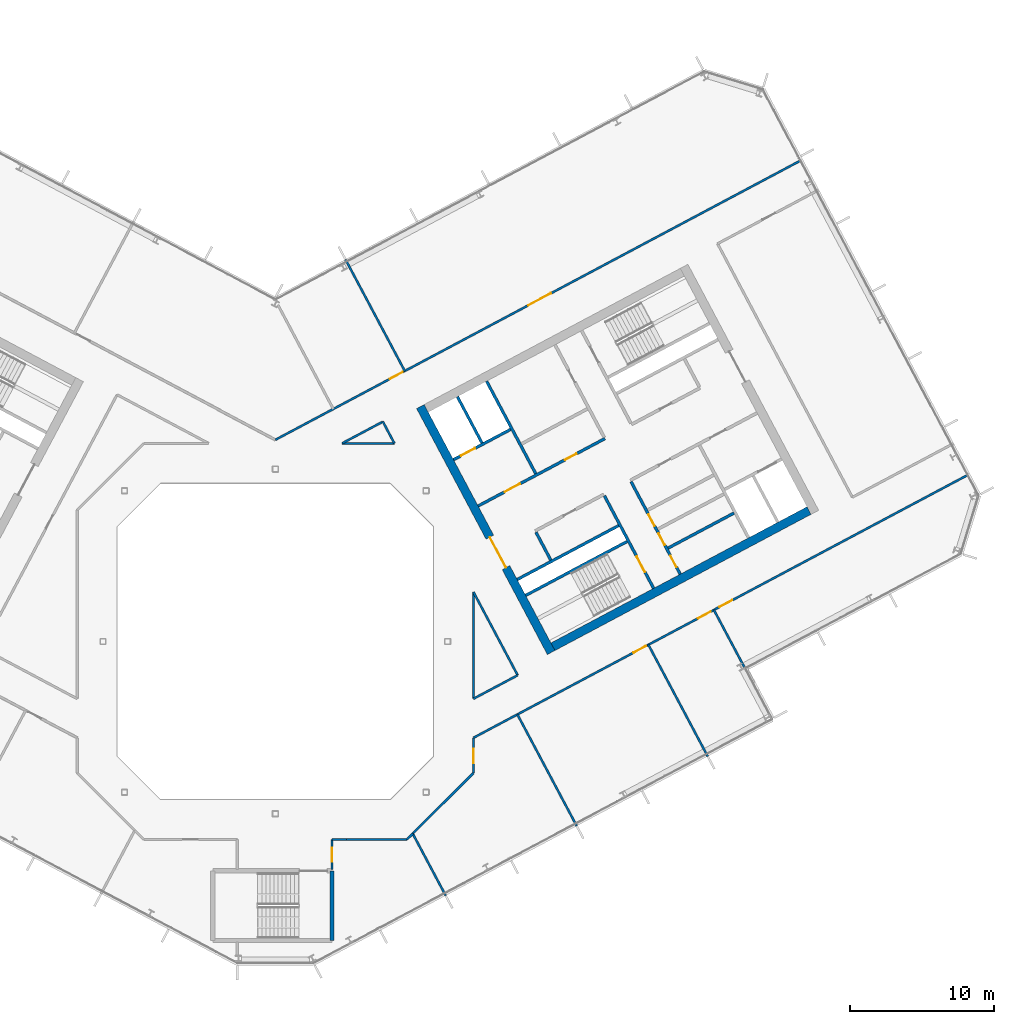
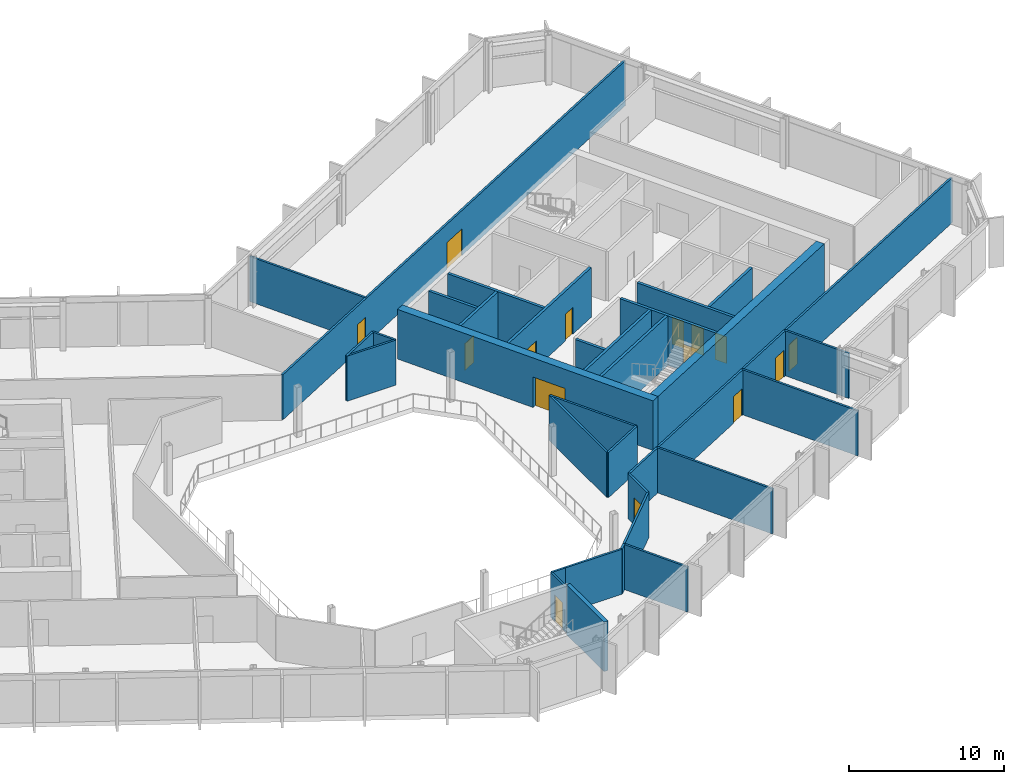
# One storey, part 16 of 27: 32 walls, 15 doors, 15 openings.
"""IFC4 building model written with IfcOpenShell, lengths in metres."""

from ifc_helpers import new_model, si_unit, direction, frame, frame_2d, origin, place, context, subcontext, project, spatial, rectangle, extrude, material, layer, layer_set, type_object, element, fill, save


model = new_model("IFC4")

# Units and contexts
model_context = context("Model", 3, precision=1e-05, world=origin(), true_north=direction((0.0, 1.0)))
body_context = subcontext(model_context, "Body", "Model", "MODEL_VIEW")
ifc_project = project(units=[si_unit("LENGTHUNIT", "METRE"), si_unit("AREAUNIT", "SQUARE_METRE"), si_unit("VOLUMEUNIT", "CUBIC_METRE"), si_unit("PLANEANGLEUNIT", "RADIAN"), si_unit("MASSUNIT", "GRAM", prefix="KILO")], contexts=[model_context])

# Site, building, storey
site_placement = place(None, origin())
site = spatial("IfcSite", under=ifc_project, at=site_placement, CompositionType="ELEMENT")
building_placement = place(site_placement, origin())
building = spatial("IfcBuilding", under=site, at=building_placement, Name="Cormorant Relay Tower", CompositionType="ELEMENT")
storey_placement = place(building_placement, frame((0.0, 0.0, 209.10009765625)))
storey = spatial("IfcBuildingStorey", under=building, at=storey_placement, Name="L45", CompositionType="ELEMENT", Elevation=209.10009765625)

# Walls
ifc_material_1 = material(Name="Concrete 40 MPa", Category="concrete")
ifc_layer_1 = layer(ifc_material_1, 0.199951171875)
ifc_layer_set_1 = layer_set([ifc_layer_1], Name="Core internal wall 200")
wall_type_1 = type_object("IfcWallType", Name="Core internal wall 200", PredefinedType="SOLIDWALL", material=ifc_layer_set_1)
wall_1_placement = place(storey_placement, frame((27.349365234375, 6.500732421875, 0.0), z_axis=(0.0, 0.0, 1.0), x_axis=(0.882953967957, 0.469459572775, 0.0)))
element("IfcWall", 1, at=wall_1_placement, inside=storey, type_object=wall_type_1, Name="L45 core B shaft and room wall", PredefinedType="SOLIDWALL", context=body_context, shape_type="SweptSolid", body=[
    extrude(rectangle(XDim=5.199951171875, YDim=0.199951171875, at=frame_2d((2.60009765625, 0.0))), origin(), (0.0, 0.0, 1.0), 3.89990234375),
])
ifc_material_2 = material(Name="Concrete 50 MPa", Category="concrete")
ifc_layer_2 = layer(ifc_material_2, 0.199951171875)
ifc_layer_set_2 = layer_set([ifc_layer_2], Name="Core shaft wall 200")
wall_type_2 = type_object("IfcWallType", Name="Core shaft wall 200", PredefinedType="SHEAR", material=ifc_layer_set_2)
wall_2_placement = place(storey_placement, frame((14.39404296875, 13.825927734375, 0.0), z_axis=(0.0, 0.0, 1.0), x_axis=(-0.469494272526, 0.882935517501, 0.0)))
element("IfcWall", 2, at=wall_2_placement, inside=storey, type_object=wall_type_2, Name="L45 core B shaft wall", PredefinedType="SHEAR", context=body_context, shape_type="SweptSolid", body=[
    extrude(rectangle(XDim=3.64990234375, YDim=0.199951171875, at=frame_2d((1.824951171875, 0.0))), origin(), (0.0, 0.0, 1.0), 3.89990234375),
])
wall_3_placement = place(storey_placement, frame((19.18359375, 5.669921875, 0.0), z_axis=(0.0, 0.0, 1.0), x_axis=(-0.4694473164, 0.882960484464, 0.0)))
element("IfcWall", 3, at=wall_3_placement, inside=storey, type_object=wall_type_2, Name="L45 core B shaft wall", PredefinedType="SHEAR", context=body_context, shape_type="SweptSolid", body=[
    extrude(rectangle(XDim=2.199951171875, YDim=0.199951171875, at=frame_2d((1.10009765625, 0.0))), origin(), (0.0, 0.0, 1.0), 3.89990234375),
])
wall_4_placement = place(storey_placement, frame((18.138427734375, 11.682861328125, 0.0), z_axis=(0.0, 0.0, 1.0), x_axis=(-0.469480409012, 0.88294288918, 0.0)))
element("IfcWall", 4, at=wall_4_placement, inside=storey, type_object=wall_type_2, Name="L45 core B shaft wall", PredefinedType="SHEAR", context=body_context, shape_type="SweptSolid", body=[
    extrude(rectangle(XDim=7.300048828125, YDim=0.199951171875, at=frame_2d((3.64990234375, 0.0))), origin(), (0.0, 0.0, 1.0), 3.89990234375),
])

# Wall, opening, door
wall_5_placement = place(storey_placement, frame((26.345947265625, 3.701904296875, 0.0), z_axis=(0.0, 0.0, 1.0), x_axis=(-0.469480409012, 0.88294288918, 0.0)))
wall_5 = element("IfcWall", 5, at=wall_5_placement, inside=storey, type_object=wall_type_2, Name="L45 core B shaft wall", PredefinedType="SHEAR", context=body_context, shape_type="SweptSolid", body=[
    extrude(rectangle(XDim=7.300048828125, YDim=0.199951171875, at=frame_2d((3.64990234375, 0.0))), origin(), (0.0, 0.0, 1.0), 3.89990234375),
])
opening_1_placement = place(wall_5_placement, frame((1.300048828125, 0.0, 0.0)))
opening_1 = element("IfcOpeningElement", 6, at=opening_1_placement, cuts=wall_5, Name="Opening CDB-040", PredefinedType="OPENING", context=body_context, shape_type="SweptSolid", body=[
    extrude(rectangle(XDim=1.199951171875, YDim=2.10009765625, at=frame_2d((0.60009765625, 1.050048828125))), frame((0.0, 0.10986328125, 0.0), z_axis=(0.0, -1.0, 0.0), x_axis=(1.0, 0.0, 0.0)), (0.0, 0.0, 1.0), 0.219970703125),
])
ifc_material_3 = material(Name="Steel fire door", Category="steel")
door_type_1 = type_object("IfcDoorType", Name="Core stair door 1200x2100", OperationType="SINGLE_SWING_LEFT", PredefinedType="DOOR", material=ifc_material_3)
door_1_placement = place(opening_1_placement, origin())
door_1 = element("IfcDoor", 7, at=door_1_placement, inside=storey, type_object=door_type_1, Name="Core stair door 1200x2100", OperationType="SINGLE_SWING_RIGHT", OverallHeight=2.10009765625, OverallWidth=1.199951171875, PredefinedType="DOOR", context=body_context, shape_type="SweptSolid", body=[
    extrude(rectangle(XDim=1.199951171875, YDim=2.10009765625, at=frame_2d((0.60009765625, 1.050048828125))), frame((0.0, 0.02490234375, 0.0), z_axis=(0.0, -1.0, 0.0), x_axis=(1.0, 0.0, 0.0)), (0.0, 0.0, 1.0), 0.050048828125),
])
fill(opening_1, door_1)

# Wall, openings, doors
wall_6_placement = place(storey_placement, frame((28.199951171875, 4.687744140625, 0.0), z_axis=(0.0, 0.0, 1.0), x_axis=(-0.469454336211, 0.882956752176, 0.0)))
wall_6 = element("IfcWall", 8, at=wall_6_placement, inside=storey, type_object=wall_type_2, Name="L45 core B shaft wall", PredefinedType="SHEAR", context=body_context, shape_type="SweptSolid", body=[
    extrude(rectangle(XDim=7.300048828125, YDim=0.199951171875, at=frame_2d((3.64990234375, 0.0))), origin(), (0.0, 0.0, 1.0), 3.89990234375),
])
opening_2_placement = place(wall_6_placement, frame((0.550048828125, 0.0, 0.0)))
opening_2 = element("IfcOpeningElement", 9, at=opening_2_placement, cuts=wall_6, Name="Opening CDD-265", PredefinedType="OPENING", context=body_context, shape_type="SweptSolid", body=[
    extrude(rectangle(XDim=0.89990234375, YDim=2.10009765625, at=frame_2d((0.449951171875, 1.050048828125))), frame((0.0, 0.10986328125, 0.0), z_axis=(0.0, -1.0, 0.0), x_axis=(1.0, 0.0, 0.0)), (0.0, 0.0, 1.0), 0.219970703125),
])
opening_3_placement = place(wall_6_placement, frame((2.300048828125, 0.0, 0.0)))
opening_3 = element("IfcOpeningElement", 10, at=opening_3_placement, cuts=wall_6, Name="Opening CDD-266", PredefinedType="OPENING", context=body_context, shape_type="SweptSolid", body=[
    extrude(rectangle(XDim=0.89990234375, YDim=2.10009765625, at=frame_2d((0.449951171875, 1.050048828125))), frame((0.0, 0.10986328125, 0.0), z_axis=(0.0, -1.0, 0.0), x_axis=(1.0, 0.0, 0.0)), (0.0, 0.0, 1.0), 0.219970703125),
])
opening_4_placement = place(wall_6_placement, frame((3.800048828125, 0.0, 0.0)))
opening_4 = element("IfcOpeningElement", 11, at=opening_4_placement, cuts=wall_6, Name="Opening CDD-267", PredefinedType="OPENING", context=body_context, shape_type="SweptSolid", body=[
    extrude(rectangle(XDim=0.89990234375, YDim=2.10009765625, at=frame_2d((0.449951171875, 1.050048828125))), frame((0.0, 0.10986328125, 0.0), z_axis=(0.0, -1.0, 0.0), x_axis=(1.0, 0.0, 0.0)), (0.0, 0.0, 1.0), 0.219970703125),
])
ifc_material_4 = material(Name="Steel fire door", Category="steel")
door_type_2 = type_object("IfcDoorType", Name="Core room door 900x2100", OperationType="SINGLE_SWING_LEFT", PredefinedType="DOOR", material=ifc_material_4)
door_2_placement = place(opening_2_placement, frame((0.89990234375, 0.0, 0.0), z_axis=(0.0, 0.0, 1.0), x_axis=(-1.0, 0.0, 0.0)))
door_2 = element("IfcDoor", 12, at=door_2_placement, inside=storey, type_object=door_type_2, Name="Core room door 900x2100", OperationType="SINGLE_SWING_LEFT", OverallHeight=2.10009765625, OverallWidth=0.89990234375, PredefinedType="DOOR", context=body_context, shape_type="SweptSolid", body=[
    extrude(rectangle(XDim=0.89990234375, YDim=2.10009765625, at=frame_2d((0.449951171875, 1.050048828125))), frame((0.0, 0.02490234375, 0.0), z_axis=(0.0, -1.0, 0.0), x_axis=(1.0, 0.0, 0.0)), (0.0, 0.0, 1.0), 0.050048828125),
])
fill(opening_2, door_2)
door_3_placement = place(opening_3_placement, frame((0.89990234375, 0.0, 0.0), z_axis=(0.0, 0.0, 1.0), x_axis=(-1.0, 0.0, 0.0)))
door_3 = element("IfcDoor", 13, at=door_3_placement, inside=storey, type_object=door_type_2, Name="Core room door 900x2100", OperationType="SINGLE_SWING_LEFT", OverallHeight=2.10009765625, OverallWidth=0.89990234375, PredefinedType="DOOR", context=body_context, shape_type="SweptSolid", body=[
    extrude(rectangle(XDim=0.89990234375, YDim=2.10009765625, at=frame_2d((0.449951171875, 1.050048828125))), frame((0.0, 0.02490234375, 0.0), z_axis=(0.0, -1.0, 0.0), x_axis=(1.0, 0.0, 0.0)), (0.0, 0.0, 1.0), 0.050048828125),
])
fill(opening_3, door_3)
door_4_placement = place(opening_4_placement, frame((0.89990234375, 0.0, 0.0), z_axis=(0.0, 0.0, 1.0), x_axis=(-1.0, 0.0, 0.0)))
door_4 = element("IfcDoor", 14, at=door_4_placement, inside=storey, type_object=door_type_2, Name="Core room door 900x2100", OperationType="SINGLE_SWING_LEFT", OverallHeight=2.10009765625, OverallWidth=0.89990234375, PredefinedType="DOOR", context=body_context, shape_type="SweptSolid", body=[
    extrude(rectangle(XDim=0.89990234375, YDim=2.10009765625, at=frame_2d((0.449951171875, 1.050048828125))), frame((0.0, 0.02490234375, 0.0), z_axis=(0.0, -1.0, 0.0), x_axis=(1.0, 0.0, 0.0)), (0.0, 0.0, 1.0), 0.050048828125),
])
fill(opening_4, door_4)

# Walls
for number, where, z_axis, x_axis, name in (
    (15, (17.43359375, 3.210205078125, 0.0), (0.0, 0.0, 1.0), (0.882940221191, 0.469485426614, 0.0), "L45 core B shaft wall"),
    (16, (16.8466796875, 4.31396484375, 0.0), (0.0, 0.0, 1.0), (0.882940221191, 0.469485426614, 0.0), "L45 core B shaft wall"),
):
    element("IfcWall", number, at=place(storey_placement, frame(where, z_axis=z_axis, x_axis=x_axis)), inside=storey, type_object=wall_type_2, Name=name, PredefinedType="SHEAR", context=body_context, shape_type="SweptSolid", body=[
        extrude(rectangle(XDim=8.0, YDim=0.199951171875, at=frame_2d((4.0, 0.0))), origin(), (0.0, 0.0, 1.0), 3.89990234375),
    ])

# Wall, openings, doors
wall_7_placement = place(storey_placement, frame((14.123779296875, 9.43505859375, 0.0), z_axis=(0.0, 0.0, 1.0), x_axis=(0.882940221191, 0.469485426614, 0.0)))
wall_7 = element("IfcWall", 17, at=wall_7_placement, inside=storey, type_object=wall_type_2, Name="L45 core B shaft wall", PredefinedType="SHEAR", context=body_context, shape_type="SweptSolid", body=[
    extrude(rectangle(XDim=10.0, YDim=0.199951171875, at=frame_2d((5.0, 0.0))), origin(), (0.0, 0.0, 1.0), 3.89990234375),
])
opening_5_placement = place(wall_7_placement, frame((2.10009765625, 0.0, 0.0)))
opening_5 = element("IfcOpeningElement", 18, at=opening_5_placement, cuts=wall_7, Name="Opening CDC-037", PredefinedType="OPENING", context=body_context, shape_type="SweptSolid", body=[
    extrude(rectangle(XDim=1.199951171875, YDim=2.10009765625, at=frame_2d((0.60009765625, 1.050048828125))), frame((0.0, 0.10986328125, 0.0), z_axis=(0.0, -1.0, 0.0), x_axis=(1.0, 0.0, 0.0)), (0.0, 0.0, 1.0), 0.219970703125),
])
opening_6_placement = place(wall_7_placement, frame((6.85009765625, 0.0, 0.0)))
opening_6 = element("IfcOpeningElement", 19, at=opening_6_placement, cuts=wall_7, Name="Opening CDD-260", PredefinedType="OPENING", context=body_context, shape_type="SweptSolid", body=[
    extrude(rectangle(XDim=0.89990234375, YDim=2.10009765625, at=frame_2d((0.449951171875, 1.050048828125))), frame((0.0, 0.10986328125, 0.0), z_axis=(0.0, -1.0, 0.0), x_axis=(1.0, 0.0, 0.0)), (0.0, 0.0, 1.0), 0.219970703125),
])
ifc_material_5 = material(Name="Steel fire door", Category="steel")
door_type_3 = type_object("IfcDoorType", Name="Core lobby door 1200x2100", OperationType="SINGLE_SWING_LEFT", PredefinedType="DOOR", material=ifc_material_5)
door_5_placement = place(opening_5_placement, origin())
door_5 = element("IfcDoor", 20, at=door_5_placement, inside=storey, type_object=door_type_3, Name="Core lobby door 1200x2100", OperationType="SINGLE_SWING_RIGHT", OverallHeight=2.10009765625, OverallWidth=1.199951171875, PredefinedType="DOOR", context=body_context, shape_type="SweptSolid", body=[
    extrude(rectangle(XDim=1.199951171875, YDim=2.10009765625, at=frame_2d((0.60009765625, 1.050048828125))), frame((0.0, 0.02490234375, 0.0), z_axis=(0.0, -1.0, 0.0), x_axis=(1.0, 0.0, 0.0)), (0.0, 0.0, 1.0), 0.050048828125),
])
fill(opening_5, door_5)
door_6_placement = place(opening_6_placement, origin())
door_6 = element("IfcDoor", 21, at=door_6_placement, inside=storey, type_object=door_type_2, Name="Core room door 900x2100", OperationType="SINGLE_SWING_LEFT", OverallHeight=2.10009765625, OverallWidth=0.89990234375, PredefinedType="DOOR", context=body_context, shape_type="SweptSolid", body=[
    extrude(rectangle(XDim=0.89990234375, YDim=2.10009765625, at=frame_2d((0.449951171875, 1.050048828125))), frame((0.0, 0.02490234375, 0.0), z_axis=(0.0, -1.0, 0.0), x_axis=(1.0, 0.0, 0.0)), (0.0, 0.0, 1.0), 0.050048828125),
])
fill(opening_6, door_6)

# Wall, opening, door
wall_8_placement = place(storey_placement, frame((12.41015625, 12.657958984375, 0.0), z_axis=(0.0, 0.0, 1.0), x_axis=(0.8829484765, 0.469469900894, 0.0)))
wall_8 = element("IfcWall", 22, at=wall_8_placement, inside=storey, type_object=wall_type_2, Name="L45 core B shaft wall", PredefinedType="SHEAR", context=body_context, shape_type="SweptSolid", body=[
    extrude(rectangle(XDim=4.499755859375, YDim=0.199951171875, at=frame_2d((2.25, 0.0))), origin(), (0.0, 0.0, 1.0), 3.89990234375),
])
opening_7_placement = place(wall_8_placement, frame((0.60009765625, 0.0, 0.0)))
opening_7 = element("IfcOpeningElement", 23, at=opening_7_placement, cuts=wall_8, Name="Opening LD1-064", PredefinedType="OPENING", context=body_context, shape_type="SweptSolid", body=[
    extrude(rectangle(XDim=1.10009765625, YDim=2.10009765625, at=frame_2d((0.550048828125, 1.050048828125))), frame((0.0, 0.10986328125, 0.0), z_axis=(0.0, -1.0, 0.0), x_axis=(1.0, 0.0, 0.0)), (0.0, 0.0, 1.0), 0.219970703125),
])
ifc_material_6 = material(Name="Stainless steel 316", Category="steel")
door_type_4 = type_object("IfcDoorType", Name="Lift landing door 1100x2100", OperationType="DOUBLE_DOOR_SLIDING", PredefinedType="DOOR", material=ifc_material_6)
door_7_placement = place(opening_7_placement, origin())
door_7 = element("IfcDoor", 24, at=door_7_placement, inside=storey, type_object=door_type_4, Name="FF2 landing door", OperationType="DOUBLE_DOOR_SLIDING", OverallHeight=2.10009765625, OverallWidth=1.10009765625, PredefinedType="DOOR", context=body_context, shape_type="SweptSolid", body=[
    extrude(rectangle(XDim=1.10009765625, YDim=2.10009765625, at=frame_2d((0.550048828125, 1.050048828125))), frame((0.0, 0.02490234375, 0.0), z_axis=(0.0, -1.0, 0.0), x_axis=(1.0, 0.0, 0.0)), (0.0, 0.0, 1.0), 0.050048828125),
])
fill(opening_7, door_7)

ifc_material_7 = material(Name="Concrete 50 MPa", Category="concrete")
ifc_layer_3 = layer(ifc_material_7, 0.60009765625)
ifc_layer_set_3 = layer_set([ifc_layer_3], Name="Core wall 600")
wall_type_3 = type_object("IfcWallType", Name="Core wall 600", PredefinedType="SHEAR", material=ifc_layer_set_3)
wall_9_placement = place(storey_placement, frame((19.210693359375, -0.771484375, 0.0), z_axis=(0.0, 0.0, 1.0), x_axis=(-0.469463742137, 0.882951751127, 0.0)))
wall_9 = element("IfcWall", 25, at=wall_9_placement, inside=storey, type_object=wall_type_3, Name="L45 core B wall", PredefinedType="SHEAR", context=body_context, shape_type="SweptSolid", body=[
    extrude(rectangle(XDim=19.400146484375, YDim=0.60009765625, at=frame_2d((9.7001953125, 0.0))), origin(), (0.0, 0.0, 1.0), 3.89990234375),
])
opening_8_placement = place(wall_9_placement, frame((6.699951171875, 0.0, 0.0)))
opening_8 = element("IfcOpeningElement", 26, at=opening_8_placement, cuts=wall_9, Name="Opening CDA-044", PredefinedType="OPENING", context=body_context, shape_type="SweptSolid", body=[
    extrude(rectangle(XDim=2.39990234375, YDim=2.39990234375, at=frame_2d((1.199951171875, 1.199951171875))), frame((0.0, 0.31005859375, 0.0), z_axis=(0.0, -1.0, 0.0), x_axis=(1.0, 0.0, 0.0)), (0.0, 0.0, 1.0), 0.6201171875),
])
ifc_material_8 = material(Name="Steel fire door", Category="steel")
door_type_5 = type_object("IfcDoorType", Name="Core lobby door 2400x2400", OperationType="DOUBLE_DOOR_SINGLE_SWING", PredefinedType="DOOR", material=ifc_material_8)
door_8_placement = place(opening_8_placement, origin())
door_8 = element("IfcDoor", 27, at=door_8_placement, inside=storey, type_object=door_type_5, Name="Core lobby door 2400x2400", OperationType="DOUBLE_DOOR_SINGLE_SWING", OverallHeight=2.39990234375, OverallWidth=2.39990234375, PredefinedType="DOOR", context=body_context, shape_type="SweptSolid", body=[
    extrude(rectangle(XDim=2.39990234375, YDim=2.39990234375, at=frame_2d((1.199951171875, 1.199951171875))), frame((0.0, 0.02490234375, 0.0), z_axis=(0.0, -1.0, 0.0), x_axis=(1.0, 0.0, 0.0)), (0.0, 0.0, 1.0), 0.050048828125),
])
fill(opening_8, door_8)

# Wall
wall_10_placement = place(storey_placement, frame((19.3349609375, -0.36572265625, 0.0), z_axis=(0.0, 0.0, 1.0), x_axis=(0.88294509198, 0.469476266226, 0.0)))
element("IfcWall", 28, at=wall_10_placement, inside=storey, type_object=wall_type_3, Name="L45 core B wall", PredefinedType="SHEAR", context=body_context, shape_type="SweptSolid", body=[
    extrude(rectangle(XDim=20.199951171875, YDim=0.60009765625, at=frame_2d((10.10009765625, 0.0))), origin(), (0.0, 0.0, 1.0), 3.89990234375),
])

# Wall, openings, doors
ifc_material_9 = material(Name="Gypsum board fire partition")
ifc_layer_4 = layer(ifc_material_9, 0.14990234375)
ifc_layer_set_4 = layer_set([ifc_layer_4], Name="Corridor partition 150 EI 60")
wall_type_4 = type_object("IfcWallType", Name="Corridor partition 150 EI 60", PredefinedType="PARTITIONING", material=ifc_layer_set_4)
wall_11_placement = place(storey_placement, frame((0.0, 14.0439453125, 0.0), z_axis=(0.0, 0.0, 1.0), x_axis=(0.882962129795, 0.469444221764, 0.0)))
wall_11 = element("IfcWall", 29, at=wall_11_placement, inside=storey, type_object=wall_type_4, Name="wall/L45/part/012", PredefinedType="PARTITIONING", context=body_context, shape_type="SweptSolid", body=[
    extrude(rectangle(XDim=41.606689453125, YDim=0.14990234375, at=frame_2d((20.80322265625, 0.0))), origin(), (0.0, 0.0, 1.0), 3.539794921875),
])
opening_9_placement = place(wall_11_placement, frame((19.949951171875, 0.0, 0.0)))
opening_9 = element("IfcOpeningElement", 30, at=opening_9_placement, cuts=wall_11, Name="Opening DD-023", PredefinedType="OPENING", context=body_context, shape_type="SweptSolid", body=[
    extrude(rectangle(XDim=1.800048828125, YDim=2.10009765625, at=frame_2d((0.89990234375, 1.050048828125))), frame((0.0, 0.0849609375, 0.0), z_axis=(0.0, -1.0, 0.0), x_axis=(1.0, 0.0, 0.0)), (0.0, 0.0, 1.0), 0.169921875),
])
opening_10_placement = place(wall_11_placement, frame((9.050048828125, 0.0, 0.0)))
opening_10 = element("IfcOpeningElement", 31, at=opening_10_placement, cuts=wall_11, Name="Opening DS-133", PredefinedType="OPENING", context=body_context, shape_type="SweptSolid", body=[
    extrude(rectangle(XDim=1.0, YDim=2.10009765625, at=frame_2d((0.5, 1.050048828125))), frame((0.0, 0.0849609375, 0.0), z_axis=(0.0, -1.0, 0.0), x_axis=(1.0, 0.0, 0.0)), (0.0, 0.0, 1.0), 0.169921875),
])
ifc_material_10 = material(Name="Timber door leaf", Category="wood")
door_type_6 = type_object("IfcDoorType", Name="Suite door 1000x2100", OperationType="SINGLE_SWING_LEFT", PredefinedType="DOOR", material=ifc_material_10)
door_9_placement = place(opening_10_placement, origin())
door_9 = element("IfcDoor", 32, at=door_9_placement, inside=storey, type_object=door_type_6, Name="door/L45/016", OperationType="SINGLE_SWING_RIGHT", OverallHeight=2.10009765625, OverallWidth=1.0, PredefinedType="DOOR", context=body_context, shape_type="SweptSolid", body=[
    extrude(rectangle(XDim=1.0, YDim=2.10009765625, at=frame_2d((0.5, 1.050048828125))), frame((0.0, 0.02490234375, 0.0), z_axis=(0.0, -1.0, 0.0), x_axis=(1.0, 0.0, 0.0)), (0.0, 0.0, 1.0), 0.050048828125),
])
fill(opening_10, door_9)
ifc_material_11 = material(Name="Timber door leaf", Category="wood")
door_type_7 = type_object("IfcDoorType", Name="Suite double door 1800x2100", OperationType="DOUBLE_DOOR_SINGLE_SWING", PredefinedType="DOOR", material=ifc_material_11)
door_10_placement = place(opening_9_placement, origin())
door_10 = element("IfcDoor", 33, at=door_10_placement, inside=storey, type_object=door_type_7, Name="door/L45/015", OperationType="DOUBLE_DOOR_SINGLE_SWING", OverallHeight=2.10009765625, OverallWidth=1.800048828125, PredefinedType="DOOR", context=body_context, shape_type="SweptSolid", body=[
    extrude(rectangle(XDim=1.800048828125, YDim=2.10009765625, at=frame_2d((0.89990234375, 1.050048828125))), frame((0.0, 0.02490234375, 0.0), z_axis=(0.0, -1.0, 0.0), x_axis=(1.0, 0.0, 0.0)), (0.0, 0.0, 1.0), 0.050048828125),
])
fill(opening_9, door_10)

# Wall
wall_12_placement = place(storey_placement, frame((4.9541015625, -13.800048828125, 0.0), z_axis=(0.0, 0.0, 1.0), x_axis=(-1.0, 0.0, 0.0)))
element("IfcWall", 34, at=wall_12_placement, inside=storey, type_object=wall_type_4, Name="wall/L45/part/030", PredefinedType="PARTITIONING", context=body_context, shape_type="SweptSolid", body=[
    extrude(rectangle(XDim=1.004150390625, YDim=0.14990234375, at=frame_2d((0.501953125, 0.0))), origin(), (0.0, 0.0, 1.0), 3.539794921875),
])

# Wall, opening, door
wall_13_placement = place(storey_placement, frame((3.949951171875, -13.800048828125, 0.0), z_axis=(0.0, 0.0, 1.0), x_axis=(0.0, -1.0, 0.0)))
wall_13 = element("IfcWall", 35, at=wall_13_placement, inside=storey, type_object=wall_type_4, Name="wall/L45/part/031", PredefinedType="PARTITIONING", context=body_context, shape_type="SweptSolid", body=[
    extrude(rectangle(XDim=2.074951171875, YDim=0.14990234375, at=frame_2d((1.03759765625, 0.0))), origin(), (0.0, 0.0, 1.0), 3.539794921875),
])
opening_11_placement = place(wall_13_placement, frame((0.550048828125, 0.0, 0.0)))
opening_11 = element("IfcOpeningElement", 36, at=opening_11_placement, cuts=wall_13, Name="Opening DS-107", PredefinedType="OPENING", context=body_context, shape_type="SweptSolid", body=[
    extrude(rectangle(XDim=1.0, YDim=2.10009765625, at=frame_2d((0.5, 1.050048828125))), frame((0.0, 0.0849609375, 0.0), z_axis=(0.0, -1.0, 0.0), x_axis=(1.0, 0.0, 0.0)), (0.0, 0.0, 1.0), 0.169921875),
])
door_11_placement = place(opening_11_placement, origin())
door_11 = element("IfcDoor", 37, at=door_11_placement, inside=storey, type_object=door_type_6, Name="door/L45/001", OperationType="SINGLE_SWING_LEFT", OverallHeight=2.10009765625, OverallWidth=1.0, PredefinedType="DOOR", context=body_context, shape_type="SweptSolid", body=[
    extrude(rectangle(XDim=1.0, YDim=2.10009765625, at=frame_2d((0.5, 1.050048828125))), frame((0.0, 0.02490234375, 0.0), z_axis=(0.0, -1.0, 0.0), x_axis=(1.0, 0.0, 0.0)), (0.0, 0.0, 1.0), 0.050048828125),
])
fill(opening_11, door_11)

# Walls
wall_14_placement = place(storey_placement, frame((9.159912109375, -13.800048828125, 0.0), z_axis=(0.0, 0.0, 1.0), x_axis=(-1.0, 0.0, 0.0)))
element("IfcWall", 38, at=wall_14_placement, inside=storey, type_object=wall_type_4, Name="wall/L45/part/032", PredefinedType="PARTITIONING", context=body_context, shape_type="SweptSolid", body=[
    extrude(rectangle(XDim=4.205810546875, YDim=0.14990234375, at=frame_2d((2.10302734375, 0.0))), origin(), (0.0, 0.0, 1.0), 3.539794921875),
])
wall_15_placement = place(storey_placement, frame((9.158935546875, -13.800048828125, 0.0), z_axis=(0.0, 0.0, 1.0), x_axis=(0.707945081169, 0.70626748619, 0.0)))
element("IfcWall", 39, at=wall_15_placement, inside=storey, type_object=wall_type_4, Name="wall/L45/part/033", PredefinedType="PARTITIONING", context=body_context, shape_type="SweptSolid", body=[
    extrude(rectangle(XDim=0.58203125, YDim=0.14990234375, at=frame_2d((0.291015625, 0.0))), origin(), (0.0, 0.0, 1.0), 3.539794921875),
])

# Wall, opening, door
wall_16_placement = place(storey_placement, frame((13.800048828125, -6.722900390625, 0.0), z_axis=(0.0, 0.0, 1.0), x_axis=(0.0, -1.0, 0.0)))
wall_16 = element("IfcWall", 40, at=wall_16_placement, inside=storey, type_object=wall_type_4, Name="wall/L45/part/035", PredefinedType="PARTITIONING", context=body_context, shape_type="SweptSolid", body=[
    extrude(rectangle(XDim=2.43701171875, YDim=0.14990234375, at=frame_2d((1.218505859375, 0.0))), origin(), (0.0, 0.0, 1.0), 3.539794921875),
])
opening_12_placement = place(wall_16_placement, frame((0.75, 0.0, 0.0)))
opening_12 = element("IfcOpeningElement", 41, at=opening_12_placement, cuts=wall_16, Name="Opening DS-123", PredefinedType="OPENING", context=body_context, shape_type="SweptSolid", body=[
    extrude(rectangle(XDim=1.0, YDim=2.10009765625, at=frame_2d((0.5, 1.050048828125))), frame((0.0, 0.0849609375, 0.0), z_axis=(0.0, -1.0, 0.0), x_axis=(1.0, 0.0, 0.0)), (0.0, 0.0, 1.0), 0.169921875),
])
door_12_placement = place(opening_12_placement, origin())
door_12 = element("IfcDoor", 42, at=door_12_placement, inside=storey, type_object=door_type_6, Name="door/L45/002", OperationType="SINGLE_SWING_LEFT", OverallHeight=2.10009765625, OverallWidth=1.0, PredefinedType="DOOR", context=body_context, shape_type="SweptSolid", body=[
    extrude(rectangle(XDim=1.0, YDim=2.10009765625, at=frame_2d((0.5, 1.050048828125))), frame((0.0, 0.02490234375, 0.0), z_axis=(0.0, -1.0, 0.0), x_axis=(1.0, 0.0, 0.0)), (0.0, 0.0, 1.0), 0.050048828125),
])
fill(opening_12, door_12)

# Wall
wall_17_placement = place(storey_placement, frame((13.800048828125, -9.159912109375, 0.0), z_axis=(0.0, 0.0, 1.0), x_axis=(-0.707187736796, -0.707025816307, 0.0)))
element("IfcWall", 43, at=wall_17_placement, inside=storey, type_object=wall_type_4, Name="wall/L45/part/036", PredefinedType="PARTITIONING", context=body_context, shape_type="SweptSolid", body=[
    extrude(rectangle(XDim=6.031005859375, YDim=0.14990234375, at=frame_2d((3.015625, 0.0))), origin(), (0.0, 0.0, 1.0), 3.539794921875),
])

# Wall, openings, doors
wall_18_placement = place(storey_placement, frame((48.3798828125, 11.678955078125, 0.0), z_axis=(0.0, 0.0, 1.0), x_axis=(-0.882962559816, -0.469443412951, 0.0)))
wall_18 = element("IfcWall", 44, at=wall_18_placement, inside=storey, type_object=wall_type_4, Name="wall/L45/part/038", PredefinedType="PARTITIONING", context=body_context, shape_type="SweptSolid", body=[
    extrude(rectangle(XDim=39.163330078125, YDim=0.14990234375, at=frame_2d((19.58154296875, 0.0))), origin(), (0.0, 0.0, 1.0), 3.539794921875),
])
opening_13_placement = place(wall_18_placement, frame((25.550048828125, 0.0, 0.0)))
opening_13 = element("IfcOpeningElement", 45, at=opening_13_placement, cuts=wall_18, Name="Opening DS-124", PredefinedType="OPENING", context=body_context, shape_type="SweptSolid", body=[
    extrude(rectangle(XDim=1.0, YDim=2.10009765625, at=frame_2d((0.5, 1.050048828125))), frame((0.0, 0.0849609375, 0.0), z_axis=(0.0, -1.0, 0.0), x_axis=(1.0, 0.0, 0.0)), (0.0, 0.0, 1.0), 0.169921875),
])
opening_14_placement = place(wall_18_placement, frame((20.449951171875, 0.0, 0.0)))
opening_14 = element("IfcOpeningElement", 46, at=opening_14_placement, cuts=wall_18, Name="Opening DS-109", PredefinedType="OPENING", context=body_context, shape_type="SweptSolid", body=[
    extrude(rectangle(XDim=1.0, YDim=2.10009765625, at=frame_2d((0.5, 1.050048828125))), frame((0.0, 0.0849609375, 0.0), z_axis=(0.0, -1.0, 0.0), x_axis=(1.0, 0.0, 0.0)), (0.0, 0.0, 1.0), 0.169921875),
])
opening_15_placement = place(wall_18_placement, frame((18.75, 0.0, 0.0)))
opening_15 = element("IfcOpeningElement", 47, at=opening_15_placement, cuts=wall_18, Name="Opening DS-110", PredefinedType="OPENING", context=body_context, shape_type="SweptSolid", body=[
    extrude(rectangle(XDim=1.0, YDim=2.10009765625, at=frame_2d((0.5, 1.050048828125))), frame((0.0, 0.0849609375, 0.0), z_axis=(0.0, -1.0, 0.0), x_axis=(1.0, 0.0, 0.0)), (0.0, 0.0, 1.0), 0.169921875),
])
door_13_placement = place(opening_13_placement, origin())
door_13 = element("IfcDoor", 48, at=door_13_placement, inside=storey, type_object=door_type_6, Name="door/L45/003", OperationType="SINGLE_SWING_LEFT", OverallHeight=2.10009765625, OverallWidth=1.0, PredefinedType="DOOR", context=body_context, shape_type="SweptSolid", body=[
    extrude(rectangle(XDim=1.0, YDim=2.10009765625, at=frame_2d((0.5, 1.050048828125))), frame((0.0, 0.02490234375, 0.0), z_axis=(0.0, -1.0, 0.0), x_axis=(1.0, 0.0, 0.0)), (0.0, 0.0, 1.0), 0.050048828125),
])
fill(opening_13, door_13)
door_14_placement = place(opening_14_placement, origin())
door_14 = element("IfcDoor", 49, at=door_14_placement, inside=storey, type_object=door_type_6, Name="door/L45/004", OperationType="SINGLE_SWING_LEFT", OverallHeight=2.10009765625, OverallWidth=1.0, PredefinedType="DOOR", context=body_context, shape_type="SweptSolid", body=[
    extrude(rectangle(XDim=1.0, YDim=2.10009765625, at=frame_2d((0.5, 1.050048828125))), frame((0.0, 0.02490234375, 0.0), z_axis=(0.0, -1.0, 0.0), x_axis=(1.0, 0.0, 0.0)), (0.0, 0.0, 1.0), 0.050048828125),
])
fill(opening_14, door_14)
door_15_placement = place(opening_15_placement, origin())
door_15 = element("IfcDoor", 50, at=door_15_placement, inside=storey, type_object=door_type_6, Name="door/L45/005", OperationType="SINGLE_SWING_RIGHT", OverallHeight=2.10009765625, OverallWidth=1.0, PredefinedType="DOOR", context=body_context, shape_type="SweptSolid", body=[
    extrude(rectangle(XDim=1.0, YDim=2.10009765625, at=frame_2d((0.5, 1.050048828125))), frame((0.0, 0.02490234375, 0.0), z_axis=(0.0, -1.0, 0.0), x_axis=(1.0, 0.0, 0.0)), (0.0, 0.0, 1.0), 0.050048828125),
])
fill(opening_15, door_15)

# Walls
wall_19_placement = place(storey_placement, frame((4.653076171875, 13.800048828125, 0.0), z_axis=(0.0, 0.0, 1.0), x_axis=(1.0, 0.0, 0.0)))
element("IfcWall", 51, at=wall_19_placement, inside=storey, type_object=wall_type_4, Name="wall/L45/part/050", PredefinedType="PARTITIONING", context=body_context, shape_type="SweptSolid", body=[
    extrude(rectangle(XDim=3.638916015625, YDim=0.14990234375, at=frame_2d((1.8193359375, 0.0))), origin(), (0.0, 0.0, 1.0), 3.539794921875),
])
wall_20_placement = place(storey_placement, frame((8.2919921875, 13.800048828125, 0.0), z_axis=(0.0, 0.0, 1.0), x_axis=(-0.469541856947, 0.882910213201, 0.0)))
element("IfcWall", 52, at=wall_20_placement, inside=storey, type_object=wall_type_4, Name="wall/L45/part/051", PredefinedType="PARTITIONING", context=body_context, shape_type="SweptSolid", body=[
    extrude(rectangle(XDim=1.7080078125, YDim=0.14990234375, at=frame_2d((0.85400390625, 0.0))), origin(), (0.0, 0.0, 1.0), 3.539794921875),
])
wall_21_placement = place(storey_placement, frame((7.489990234375, 15.30810546875, 0.0), z_axis=(0.0, 0.0, 1.0), x_axis=(-0.882993690295, -0.469384855848, 0.0)))
element("IfcWall", 53, at=wall_21_placement, inside=storey, type_object=wall_type_4, Name="wall/L45/part/052", PredefinedType="PARTITIONING", context=body_context, shape_type="SweptSolid", body=[
    extrude(rectangle(XDim=3.212890625, YDim=0.14990234375, at=frame_2d((1.6064453125, 0.0))), origin(), (0.0, 0.0, 1.0), 3.539794921875),
])
wall_22_placement = place(storey_placement, frame((16.87890625, -2.35107421875, 0.0), z_axis=(0.0, 0.0, 1.0), x_axis=(-0.469376544617, 0.882998108358, 0.0)))
element("IfcWall", 54, at=wall_22_placement, inside=storey, type_object=wall_type_4, Name="wall/L45/part/053", PredefinedType="PARTITIONING", context=body_context, shape_type="SweptSolid", body=[
    extrude(rectangle(XDim=6.5595703125, YDim=0.14990234375, at=frame_2d((3.27978515625, 0.0))), origin(), (0.0, 0.0, 1.0), 3.539794921875),
])
wall_23_placement = place(storey_placement, frame((13.800048828125, 3.44091796875, 0.0), z_axis=(0.0, 0.0, 1.0), x_axis=(0.0, -1.0, 0.0)))
element("IfcWall", 55, at=wall_23_placement, inside=storey, type_object=wall_type_4, Name="wall/L45/part/054", PredefinedType="PARTITIONING", context=body_context, shape_type="SweptSolid", body=[
    extrude(rectangle(XDim=7.428955078125, YDim=0.14990234375, at=frame_2d((3.71435546875, 0.0))), origin(), (0.0, 0.0, 1.0), 3.539794921875),
])
wall_24_placement = place(storey_placement, frame((13.800048828125, -3.988037109375, 0.0), z_axis=(0.0, 0.0, 1.0), x_axis=(0.882958842974, 0.469450403786, 0.0)))
element("IfcWall", 56, at=wall_24_placement, inside=storey, type_object=wall_type_4, Name="wall/L45/part/055", PredefinedType="PARTITIONING", context=body_context, shape_type="SweptSolid", body=[
    extrude(rectangle(XDim=3.487060546875, YDim=0.14990234375, at=frame_2d((1.74365234375, 0.0))), origin(), (0.0, 0.0, 1.0), 3.539794921875),
])
ifc_material_12 = material(Name="Concrete 50 MPa", Category="concrete")
ifc_layer_5 = layer(ifc_material_12, 0.300048828125)
ifc_layer_set_5 = layer_set([ifc_layer_5], Name="Remote stair wall 300")
wall_type_5 = type_object("IfcWallType", Name="Remote stair wall 300", PredefinedType="SHEAR", material=ifc_layer_set_5)
wall_25_placement = place(storey_placement, frame((3.949951171875, -15.97509765625, 0.0), z_axis=(0.0, 0.0, 1.0), x_axis=(0.0, -1.0, 0.0)))
element("IfcWall", 57, at=wall_25_placement, inside=storey, type_object=wall_type_5, Name="L45 exit stair RK1 wall", PredefinedType="SHEAR", context=body_context, shape_type="SweptSolid", body=[
    extrude(rectangle(XDim=4.849853515625, YDim=0.300048828125, at=frame_2d((2.4248046875, 0.0))), origin(), (0.0, 0.0, 1.0), 3.89990234375),
])
ifc_material_13 = material(Name="Gypsum board partition")
ifc_layer_6 = layer(ifc_material_13, 0.14990234375)
ifc_layer_set_6 = layer_set([ifc_layer_6], Name="Tenant partition 150")
wall_type_6 = type_object("IfcWallType", Name="Tenant partition 150", PredefinedType="PARTITIONING", material=ifc_layer_set_6)
wall_26_placement = place(storey_placement, frame((4.885009765625, 26.60791015625, 0.0), z_axis=(0.0, 0.0, 1.0), x_axis=(0.469445946219, -0.882961212952, 0.0)))
element("IfcWall", 58, at=wall_26_placement, inside=storey, type_object=wall_type_6, Name="wall/L45/part/029", PredefinedType="PARTITIONING", context=body_context, shape_type="SweptSolid", body=[
    extrude(rectangle(XDim=8.800048828125, YDim=0.14990234375, at=frame_2d((4.39990234375, 0.0))), origin(), (0.0, 0.0, 1.0), 3.539794921875),
])
wall_27_placement = place(storey_placement, frame((9.572998046875, -13.386962890625, 0.0), z_axis=(0.0, 0.0, 1.0), x_axis=(0.469342774431, -0.883016058795, 0.0)))
element("IfcWall", 59, at=wall_27_placement, inside=storey, type_object=wall_type_6, Name="wall/L45/part/034", PredefinedType="PARTITIONING", context=body_context, shape_type="SweptSolid", body=[
    extrude(rectangle(XDim=4.885498046875, YDim=0.14990234375, at=frame_2d((2.44287109375, 0.0))), origin(), (0.0, 0.0, 1.0), 3.539794921875),
])
for number, where, z_axis, x_axis, name in (
    (60, (16.85888671875, -5.080078125, 0.0), (0.0, 0.0, 1.0), (0.469445946219, -0.882961212952, 0.0), "wall/L45/part/037"),
    (61, (25.98193359375, -0.22900390625, 0.0), (0.0, 0.0, 1.0), (0.469445946219, -0.882961212952, 0.0), "wall/L45/part/039"),
):
    element("IfcWall", number, at=place(storey_placement, frame(where, z_axis=z_axis, x_axis=x_axis)), inside=storey, type_object=wall_type_6, Name=name, PredefinedType="PARTITIONING", context=body_context, shape_type="SweptSolid", body=[
        extrude(rectangle(XDim=8.800048828125, YDim=0.14990234375, at=frame_2d((4.39990234375, 0.0))), origin(), (0.0, 0.0, 1.0), 3.539794921875),
    ])
wall_28_placement = place(storey_placement, frame((30.5439453125, 2.197021484375, 0.0), z_axis=(0.0, 0.0, 1.0), x_axis=(0.469518415739, -0.882922679107, 0.0)))
element("IfcWall", 62, at=wall_28_placement, inside=storey, type_object=wall_type_6, Name="wall/L45/part/040", PredefinedType="PARTITIONING", context=body_context, shape_type="SweptSolid", body=[
    extrude(rectangle(XDim=4.881591796875, YDim=0.14990234375, at=frame_2d((2.44091796875, 0.0))), origin(), (0.0, 0.0, 1.0), 3.539794921875),
])

save(model, "model.ifc")
